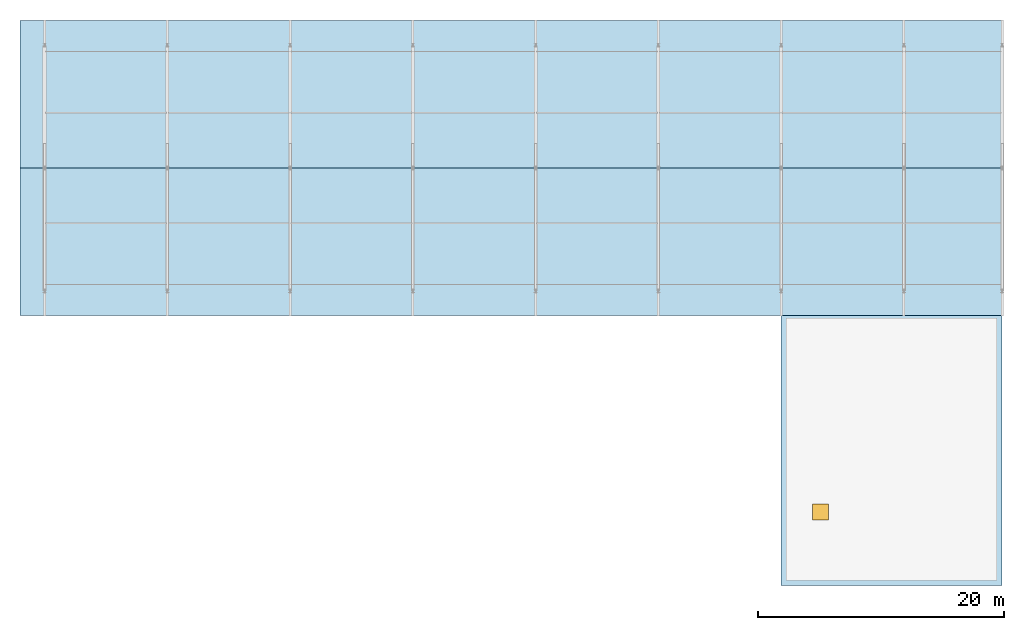
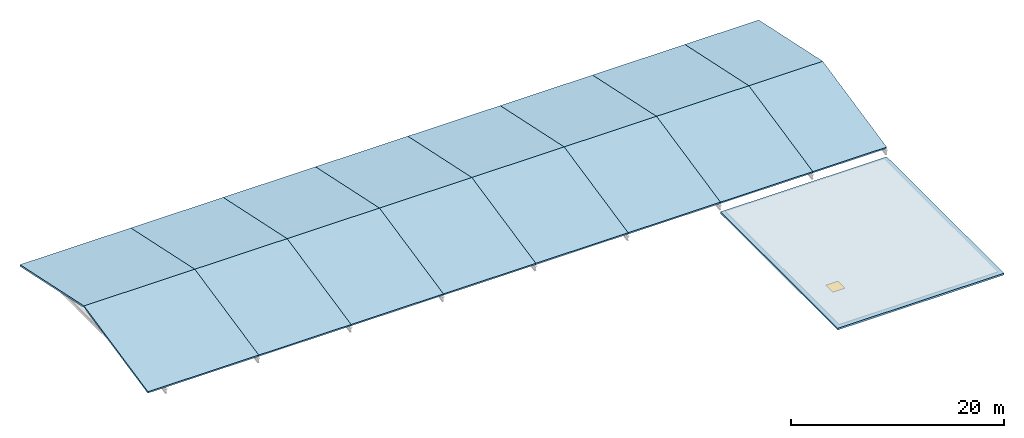
# One storey, part 9 of 10: 17 slabs, 1 window, 1 opening, 1 element without a shape of its own.
"""IFC4 building model written with IfcOpenShell, lengths in metres."""

from ifc_helpers import new_model, si_unit, direction, frame, origin, origin_2d, place, context, subcontext, project, spatial, polyline, rectangle, outline, extrude, material, layer, layer_set, type_object, element, fill, aggregate, save


model = new_model("IFC4")

# Units and contexts
model_context = context("Model", 3, precision=1e-05, world=origin(), true_north=direction((0.0, 1.0)))
body_context = subcontext(model_context, "Body", "Model", "MODEL_VIEW")
ifc_project = project(units=[si_unit("LENGTHUNIT", "METRE"), si_unit("AREAUNIT", "SQUARE_METRE"), si_unit("VOLUMEUNIT", "CUBIC_METRE"), si_unit("PLANEANGLEUNIT", "RADIAN"), si_unit("MASSUNIT", "GRAM", prefix="KILO")], contexts=[model_context])

# Site, building, storey
site_placement = place(None, origin())
site = spatial("IfcSite", under=ifc_project, at=site_placement, CompositionType="ELEMENT")
building_placement = place(site_placement, origin())
building = spatial("IfcBuilding", under=site, at=building_placement, Name="Kivolera Central Railway Station", CompositionType="ELEMENT")
storey_placement = place(building_placement, frame((0.0, 0.0, 31.199951171875)))
storey = spatial("IfcBuildingStorey", under=building, at=storey_placement, Name="Roof", CompositionType="ELEMENT", Elevation=31.199951171875)

# Slab, opening, window
ifc_material_1 = material(Name="Concrete C40/50", Category="concrete")
ifc_layer = layer(ifc_material_1, 0.199951171875, Name="Concrete C40/50")
ifc_layer_set = layer_set([ifc_layer], Name="Concrete C40/50")
slab_type = type_object("IfcSlabType", Name="SLB-MON-200", PredefinedType="ROOF", material=ifc_layer_set)
slab_1_placement = place(storey_placement, frame((0.0, 0.0, -0.199951171875)))
slab_1 = element("IfcSlab", 1, at=slab_1_placement, inside=storey, type_object=slab_type, Name="Roof East Academy Wing Maintenance Roof Slab", PredefinedType="ROOF", context=body_context, shape_type="SweptSolid", body=[
    extrude(outline(polyline([(178.0, 90.0), (196.0, 90.0), (196.0, 112.0), (178.0, 112.0), (178.0, 90.0)])), origin(), (0.0, 0.0, 1.0), 0.199951171875),
])
opening_placement = place(slab_1_placement, frame((181.199951171875, 96.0, 0.0)))
opening = element("IfcOpeningElement", 2, at=opening_placement, cuts=slab_1, Name="Opening SK-01", PredefinedType="OPENING", context=body_context, shape_type="SweptSolid", body=[
    extrude(rectangle(XDim=1.300048828125, YDim=1.300048828125, at=origin_2d()), frame((0.0, 0.0, -0.010009765625)), (0.0, 0.0, 1.0), 0.219970703125),
])
ifc_material_2 = material(Name="Double low-E laminated glass", Category="glass")
window_type = type_object("IfcWindowType", Name="WIN-SK-01", PartitioningType="SINGLE_PANEL", PredefinedType="SKYLIGHT", material=ifc_material_2)
window_placement = place(opening_placement, frame((0.0, 0.0, 0.14990234375)))
window = element("IfcWindow", 3, at=window_placement, inside=storey, type_object=window_type, Name="Roof Roof Daylight Skylight SKL-RF-6", OverallHeight=1.300048828125, OverallWidth=1.300048828125, PartitioningType="SINGLE_PANEL", PredefinedType="SKYLIGHT", context=body_context, shape_type="SweptSolid", body=[
    extrude(rectangle(XDim=1.300048828125, YDim=1.300048828125, at=origin_2d()), origin(), (0.0, 0.0, 1.0), 0.050048828125),
])
fill(opening, window)

# Roof, slabs
ifc_material_3 = material(Name="Steel S355", Category="steel")
roof_type = type_object("IfcRoofType", Name="ROOF-SYS-1", PredefinedType="GABLE_ROOF", material=ifc_material_3)
roof_placement = place(storey_placement, origin())
roof = element("IfcRoof", 4, at=roof_placement, inside=storey, type_object=roof_type, Name="Stepped Wing Top Wide-Eave Pitched Monsoon Roof", PredefinedType="GABLE_ROOF")
slab_2_placement = place(storey_placement, frame((116.0, 112.0, 1.10009765625), z_axis=(0.0, -0.207938725424, 0.97814185396), x_axis=(1.0, 0.0, 0.0)))
slab_2 = element("IfcSlab", 5, at=slab_2_placement, type_object=slab_type, Name="Wing Monsoon Pitched Roof Slab South Bay 1", PredefinedType="ROOF", context=body_context, shape_type="SweptSolid", body=[
    extrude(outline(polyline([(0.0, 0.0), (12.0, 0.0), (12.0, 12.26815921577534), (0.0, 12.26815921577534), (0.0, 0.0)])), origin(), (0.0, 0.0, -1.0), 0.199951171875),
])
slab_3_placement = place(storey_placement, frame((116.0, 124.0, 3.651123046875), z_axis=(0.0, 0.207938725424, 0.97814185396), x_axis=(1.0, 0.0, 0.0)))
slab_3 = element("IfcSlab", 6, at=slab_3_placement, type_object=slab_type, Name="Wing Monsoon Pitched Roof Slab North Bay 1", PredefinedType="ROOF", context=body_context, shape_type="SweptSolid", body=[
    extrude(outline(polyline([(0.0, 0.0), (12.0, 0.0), (12.0, 12.26815921577534), (0.0, 12.26815921577534), (0.0, 0.0)])), origin(), (0.0, 0.0, -1.0), 0.199951171875),
])
slab_4_placement = place(storey_placement, frame((128.0, 112.0, 1.10009765625), z_axis=(0.0, -0.207938725424, 0.97814185396), x_axis=(1.0, 0.0, 0.0)))
slab_4 = element("IfcSlab", 7, at=slab_4_placement, type_object=slab_type, Name="Wing Monsoon Pitched Roof Slab South Bay 2", PredefinedType="ROOF", context=body_context, shape_type="SweptSolid", body=[
    extrude(outline(polyline([(0.0, 0.0), (10.0, 0.0), (10.0, 12.26815921577534), (0.0, 12.26815921577534), (0.0, 0.0)])), origin(), (0.0, 0.0, -1.0), 0.199951171875),
])
slab_5_placement = place(storey_placement, frame((128.0, 124.0, 3.651123046875), z_axis=(0.0, 0.207938725424, 0.97814185396), x_axis=(1.0, 0.0, 0.0)))
slab_5 = element("IfcSlab", 8, at=slab_5_placement, type_object=slab_type, Name="Wing Monsoon Pitched Roof Slab North Bay 2", PredefinedType="ROOF", context=body_context, shape_type="SweptSolid", body=[
    extrude(outline(polyline([(0.0, 0.0), (10.0, 0.0), (10.0, 12.26815921577534), (0.0, 12.26815921577534), (0.0, 0.0)])), origin(), (0.0, 0.0, -1.0), 0.199951171875),
])
slab_6_placement = place(storey_placement, frame((138.0, 112.0, 1.10009765625), z_axis=(0.0, -0.207938725424, 0.97814185396), x_axis=(1.0, 0.0, 0.0)))
slab_6 = element("IfcSlab", 9, at=slab_6_placement, type_object=slab_type, Name="Wing Monsoon Pitched Roof Slab South Bay 3", PredefinedType="ROOF", context=body_context, shape_type="SweptSolid", body=[
    extrude(outline(polyline([(0.0, 0.0), (10.0, 0.0), (10.0, 12.26815921577534), (0.0, 12.26815921577534), (0.0, 0.0)])), origin(), (0.0, 0.0, -1.0), 0.199951171875),
])
slab_7_placement = place(storey_placement, frame((138.0, 124.0, 3.651123046875), z_axis=(0.0, 0.207938725424, 0.97814185396), x_axis=(1.0, 0.0, 0.0)))
slab_7 = element("IfcSlab", 10, at=slab_7_placement, type_object=slab_type, Name="Wing Monsoon Pitched Roof Slab North Bay 3", PredefinedType="ROOF", context=body_context, shape_type="SweptSolid", body=[
    extrude(outline(polyline([(0.0, 0.0), (10.0, 0.0), (10.0, 12.26815921577534), (0.0, 12.26815921577534), (0.0, 0.0)])), origin(), (0.0, 0.0, -1.0), 0.199951171875),
])
slab_8_placement = place(storey_placement, frame((148.0, 112.0, 1.10009765625), z_axis=(0.0, -0.207938725424, 0.97814185396), x_axis=(1.0, 0.0, 0.0)))
slab_8 = element("IfcSlab", 11, at=slab_8_placement, type_object=slab_type, Name="Wing Monsoon Pitched Roof Slab South Bay 4", PredefinedType="ROOF", context=body_context, shape_type="SweptSolid", body=[
    extrude(outline(polyline([(0.0, 0.0), (10.0, 0.0), (10.0, 12.26815921577534), (0.0, 12.26815921577534), (0.0, 0.0)])), origin(), (0.0, 0.0, -1.0), 0.199951171875),
])
slab_9_placement = place(storey_placement, frame((148.0, 124.0, 3.651123046875), z_axis=(0.0, 0.207938725424, 0.97814185396), x_axis=(1.0, 0.0, 0.0)))
slab_9 = element("IfcSlab", 12, at=slab_9_placement, type_object=slab_type, Name="Wing Monsoon Pitched Roof Slab North Bay 4", PredefinedType="ROOF", context=body_context, shape_type="SweptSolid", body=[
    extrude(outline(polyline([(0.0, 0.0), (10.0, 0.0), (10.0, 12.26815921577534), (0.0, 12.26815921577534), (0.0, 0.0)])), origin(), (0.0, 0.0, -1.0), 0.199951171875),
])
slab_10_placement = place(storey_placement, frame((158.0, 112.0, 1.10009765625), z_axis=(0.0, -0.207938725424, 0.97814185396), x_axis=(1.0, 0.0, 0.0)))
slab_10 = element("IfcSlab", 13, at=slab_10_placement, type_object=slab_type, Name="Wing Monsoon Pitched Roof Slab South Bay 5", PredefinedType="ROOF", context=body_context, shape_type="SweptSolid", body=[
    extrude(outline(polyline([(0.0, 0.0), (10.0, 0.0), (10.0, 12.26815921577534), (0.0, 12.26815921577534), (0.0, 0.0)])), origin(), (0.0, 0.0, -1.0), 0.199951171875),
])
slab_11_placement = place(storey_placement, frame((158.0, 124.0, 3.651123046875), z_axis=(0.0, 0.207938725424, 0.97814185396), x_axis=(1.0, 0.0, 0.0)))
slab_11 = element("IfcSlab", 14, at=slab_11_placement, type_object=slab_type, Name="Wing Monsoon Pitched Roof Slab North Bay 5", PredefinedType="ROOF", context=body_context, shape_type="SweptSolid", body=[
    extrude(outline(polyline([(0.0, 0.0), (10.0, 0.0), (10.0, 12.26815921577534), (0.0, 12.26815921577534), (0.0, 0.0)])), origin(), (0.0, 0.0, -1.0), 0.199951171875),
])
slab_12_placement = place(storey_placement, frame((168.0, 112.0, 1.10009765625), z_axis=(0.0, -0.207938725424, 0.97814185396), x_axis=(1.0, 0.0, 0.0)))
slab_12 = element("IfcSlab", 15, at=slab_12_placement, type_object=slab_type, Name="Wing Monsoon Pitched Roof Slab South Bay 6", PredefinedType="ROOF", context=body_context, shape_type="SweptSolid", body=[
    extrude(outline(polyline([(0.0, 0.0), (10.0, 0.0), (10.0, 12.26815921577534), (0.0, 12.26815921577534), (0.0, 0.0)])), origin(), (0.0, 0.0, -1.0), 0.199951171875),
])
slab_13_placement = place(storey_placement, frame((168.0, 124.0, 3.651123046875), z_axis=(0.0, 0.207938725424, 0.97814185396), x_axis=(1.0, 0.0, 0.0)))
slab_13 = element("IfcSlab", 16, at=slab_13_placement, type_object=slab_type, Name="Wing Monsoon Pitched Roof Slab North Bay 6", PredefinedType="ROOF", context=body_context, shape_type="SweptSolid", body=[
    extrude(outline(polyline([(0.0, 0.0), (10.0, 0.0), (10.0, 12.26815921577534), (0.0, 12.26815921577534), (0.0, 0.0)])), origin(), (0.0, 0.0, -1.0), 0.199951171875),
])
slab_14_placement = place(storey_placement, frame((178.0, 112.0, 1.10009765625), z_axis=(0.0, -0.207938725424, 0.97814185396), x_axis=(1.0, 0.0, 0.0)))
slab_14 = element("IfcSlab", 17, at=slab_14_placement, type_object=slab_type, Name="Wing Monsoon Pitched Roof Slab South Bay 7", PredefinedType="ROOF", context=body_context, shape_type="SweptSolid", body=[
    extrude(outline(polyline([(0.0, 0.0), (10.0, 0.0), (10.0, 12.26815921577534), (0.0, 12.26815921577534), (0.0, 0.0)])), origin(), (0.0, 0.0, -1.0), 0.199951171875),
])
slab_15_placement = place(storey_placement, frame((178.0, 124.0, 3.651123046875), z_axis=(0.0, 0.207938725424, 0.97814185396), x_axis=(1.0, 0.0, 0.0)))
slab_15 = element("IfcSlab", 18, at=slab_15_placement, type_object=slab_type, Name="Wing Monsoon Pitched Roof Slab North Bay 7", PredefinedType="ROOF", context=body_context, shape_type="SweptSolid", body=[
    extrude(outline(polyline([(0.0, 0.0), (10.0, 0.0), (10.0, 12.26815921577534), (0.0, 12.26815921577534), (0.0, 0.0)])), origin(), (0.0, 0.0, -1.0), 0.199951171875),
])
slab_16_placement = place(storey_placement, frame((188.0, 112.0, 1.10009765625), z_axis=(0.0, -0.207938725424, 0.97814185396), x_axis=(1.0, 0.0, 0.0)))
slab_16 = element("IfcSlab", 19, at=slab_16_placement, type_object=slab_type, Name="Wing Monsoon Pitched Roof Slab South Bay 8", PredefinedType="ROOF", context=body_context, shape_type="SweptSolid", body=[
    extrude(outline(polyline([(0.0, 0.0), (8.0, 0.0), (8.0, 12.26815921577534), (0.0, 12.26815921577534), (0.0, 0.0)])), origin(), (0.0, 0.0, -1.0), 0.199951171875),
])
slab_17_placement = place(storey_placement, frame((188.0, 124.0, 3.651123046875), z_axis=(0.0, 0.207938725424, 0.97814185396), x_axis=(1.0, 0.0, 0.0)))
slab_17 = element("IfcSlab", 20, at=slab_17_placement, type_object=slab_type, Name="Wing Monsoon Pitched Roof Slab North Bay 8", PredefinedType="ROOF", context=body_context, shape_type="SweptSolid", body=[
    extrude(outline(polyline([(0.0, 0.0), (8.0, 0.0), (8.0, 12.26815921577534), (0.0, 12.26815921577534), (0.0, 0.0)])), origin(), (0.0, 0.0, -1.0), 0.199951171875),
])
aggregate(roof, [slab_2, slab_3, slab_4, slab_5, slab_6, slab_7, slab_8, slab_9, slab_10, slab_11, slab_12, slab_13, slab_14, slab_15, slab_16, slab_17])

save(model, "model.ifc")
